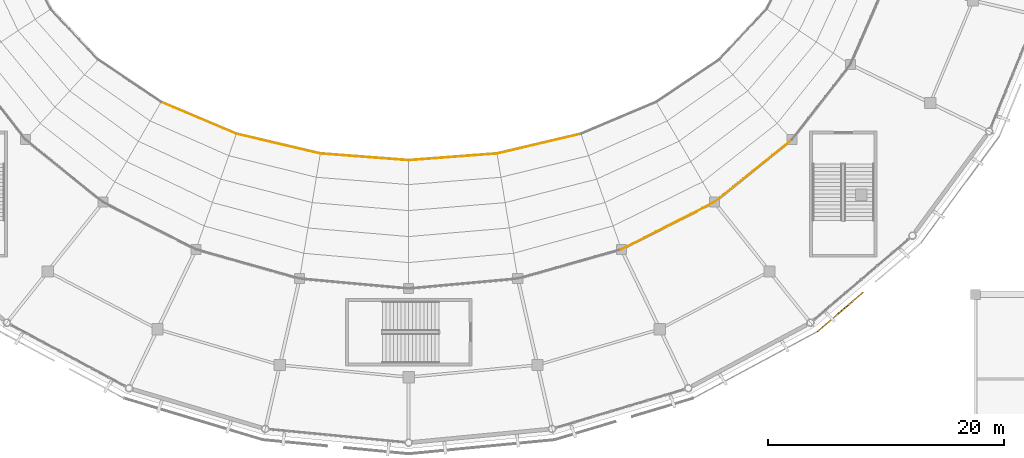
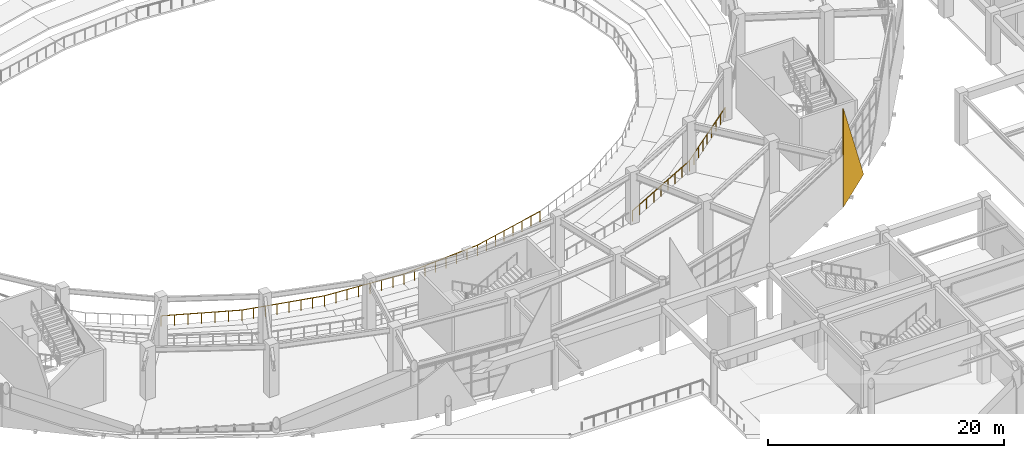
# One storey, part 99 of 120: 7 railings, 1 covering.
"""IFC4 building model written with IfcOpenShell, lengths in metres."""

from ifc_helpers import new_model, si_unit, direction, frame, origin, origin_2d, place, context, subcontext, project, spatial, polyline, circle, outline, extrude, material, layer, layer_set, type_object, element, save


model = new_model("IFC4")

# Units and contexts
model_context = context("Model", 3, precision=1e-05, world=origin(), true_north=direction((0.0, 1.0)))
body_context = subcontext(model_context, "Body", "Model", "MODEL_VIEW")
ifc_project = project(units=[si_unit("LENGTHUNIT", "METRE"), si_unit("AREAUNIT", "SQUARE_METRE"), si_unit("VOLUMEUNIT", "CUBIC_METRE"), si_unit("PLANEANGLEUNIT", "RADIAN"), si_unit("MASSUNIT", "GRAM", prefix="KILO")], contexts=[model_context])

# Site, building, storey
site_placement = place(None, origin())
site = spatial("IfcSite", under=ifc_project, at=site_placement, CompositionType="ELEMENT")
building_placement = place(site_placement, origin())
building = spatial("IfcBuilding", under=site, at=building_placement, Name="Cuetzalor Civic Arena", CompositionType="ELEMENT")
storey_placement = place(building_placement, frame((0.0, 0.0, 6.0)))
storey = spatial("IfcBuildingStorey", under=building, at=storey_placement, Name="L01", CompositionType="ELEMENT", Elevation=6.0)

# Railings
ifc_material_1 = material(Name="Reseda-green Steel S355 and laminated glass guard", Category="steel")
railing_type = type_object("IfcRailingType", Name="BowlSightlineGuard_1100", PredefinedType="BALUSTRADE", material=ifc_material_1)
railing_1_placement = place(storey_placement, frame((-20.98046875, -17.70849609375, -4.800048828125)))
element("IfcRailing", 1, at=railing_1_placement, inside=storey, type_object=railing_type, Name="Lower Bowl Front Sightline Guard S19", PredefinedType="BALUSTRADE", context=body_context, shape_type="SweptSolid", body=[
    extrude(circle(Radius=0.02392578125, at=origin_2d()), frame((0.0, 0.0, 1.076171875), z_axis=(0.921013938975, -0.389529619174, 0.0), x_axis=(0.389529619174, 0.921013938975, 0.0)), (0.0, 0.0, 1.0), 6.927490234375),
    extrude(circle(Radius=0.02099609375, at=origin_2d()), origin(), (0.0, 0.0, 1.0), 1.052001953125),
    extrude(circle(Radius=0.02099609375, at=origin_2d()), frame((1.0634765625, -0.44970703125, 0.0)), (0.0, 0.0, 1.0), 1.052001953125),
    extrude(circle(Radius=0.02099609375, at=origin_2d()), frame((2.126708984375, -0.8994140625, 0.0)), (0.0, 0.0, 1.0), 1.052001953125),
    extrude(circle(Radius=0.02099609375, at=origin_2d()), frame((3.190185546875, -1.34912109375, 0.0)), (0.0, 0.0, 1.0), 1.052001953125),
    extrude(circle(Radius=0.02099609375, at=origin_2d()), frame((4.253662109375, -1.799072265625, 0.0)), (0.0, 0.0, 1.0), 1.052001953125),
    extrude(circle(Radius=0.02099609375, at=origin_2d()), frame((5.31689453125, -2.248779296875, 0.0)), (0.0, 0.0, 1.0), 1.052001953125),
    extrude(circle(Radius=0.02099609375, at=origin_2d()), frame((6.38037109375, -2.698486328125, 0.0)), (0.0, 0.0, 1.0), 1.052001953125),
])
railing_2_placement = place(storey_placement, frame((-14.60009765625, -20.406982421875, -4.800048828125)))
element("IfcRailing", 2, at=railing_2_placement, inside=storey, type_object=railing_type, Name="Lower Bowl Front Sightline Guard S20", PredefinedType="BALUSTRADE", context=body_context, shape_type="SweptSolid", body=[
    extrude(circle(Radius=0.02392578125, at=origin_2d()), frame((0.0, 0.0, 1.076171875), z_axis=(0.9733693839, -0.229242322633, 0.0), x_axis=(0.229242322633, 0.9733693839, 0.0)), (0.0, 0.0, 1.0), 7.306884765625),
    extrude(circle(Radius=0.02099609375, at=origin_2d()), origin(), (0.0, 0.0, 1.0), 1.052001953125),
    extrude(circle(Radius=0.02099609375, at=origin_2d()), frame((1.01611328125, -0.2392578125, 0.0)), (0.0, 0.0, 1.0), 1.052001953125),
    extrude(circle(Radius=0.02099609375, at=origin_2d()), frame((2.031982421875, -0.478515625, 0.0)), (0.0, 0.0, 1.0), 1.052001953125),
    extrude(circle(Radius=0.02099609375, at=origin_2d()), frame((3.048095703125, -0.7177734375, 0.0)), (0.0, 0.0, 1.0), 1.052001953125),
    extrude(circle(Radius=0.02099609375, at=origin_2d()), frame((4.064208984375, -0.957275390625, 0.0)), (0.0, 0.0, 1.0), 1.052001953125),
    extrude(circle(Radius=0.02099609375, at=origin_2d()), frame((5.080322265625, -1.196533203125, 0.0)), (0.0, 0.0, 1.0), 1.052001953125),
    extrude(circle(Radius=0.02099609375, at=origin_2d()), frame((6.09619140625, -1.435791015625, 0.0)), (0.0, 0.0, 1.0), 1.052001953125),
    extrude(circle(Radius=0.02099609375, at=origin_2d()), frame((7.1123046875, -1.675048828125, 0.0)), (0.0, 0.0, 1.0), 1.052001953125),
])
railing_3_placement = place(storey_placement, frame((-7.48779296875, -22.08203125, -4.800048828125)))
element("IfcRailing", 3, at=railing_3_placement, inside=storey, type_object=railing_type, Name="Lower Bowl Front Sightline Guard S21", PredefinedType="BALUSTRADE", context=body_context, shape_type="SweptSolid", body=[
    extrude(circle(Radius=0.02392578125, at=origin_2d()), frame((0.0, 0.0, 1.076171875), z_axis=(0.99713652521, -0.075622417921, 0.0), x_axis=(0.075622417921, 0.99713652521, 0.0)), (0.0, 0.0, 1.0), 7.50927734375),
    extrude(circle(Radius=0.02099609375, at=origin_2d()), origin(), (0.0, 0.0, 1.0), 1.052001953125),
    extrude(circle(Radius=0.02099609375, at=origin_2d()), frame((1.069580078125, -0.0810546875, 0.0)), (0.0, 0.0, 1.0), 1.052001953125),
    extrude(circle(Radius=0.02099609375, at=origin_2d()), frame((2.139404296875, -0.162353515625, 0.0)), (0.0, 0.0, 1.0), 1.052001953125),
    extrude(circle(Radius=0.02099609375, at=origin_2d()), frame((3.208984375, -0.243408203125, 0.0)), (0.0, 0.0, 1.0), 1.052001953125),
    extrude(circle(Radius=0.02099609375, at=origin_2d()), frame((4.27880859375, -0.324462890625, 0.0)), (0.0, 0.0, 1.0), 1.052001953125),
    extrude(circle(Radius=0.02099609375, at=origin_2d()), frame((5.348388671875, -0.405517578125, 0.0)), (0.0, 0.0, 1.0), 1.052001953125),
    extrude(circle(Radius=0.02099609375, at=origin_2d()), frame((6.418212890625, -0.48681640625, 0.0)), (0.0, 0.0, 1.0), 1.052001953125),
    extrude(circle(Radius=0.02099609375, at=origin_2d()), frame((7.48779296875, -0.56787109375, 0.0)), (0.0, 0.0, 1.0), 1.052001953125),
])
railing_4_placement = place(storey_placement, frame((0.0, -22.64990234375, -4.800048828125)))
element("IfcRailing", 4, at=railing_4_placement, inside=storey, type_object=railing_type, Name="Lower Bowl Front Sightline Guard S22", PredefinedType="BALUSTRADE", context=body_context, shape_type="SweptSolid", body=[
    extrude(circle(Radius=0.02392578125, at=origin_2d()), frame((0.0, 0.0, 1.076171875), z_axis=(0.99713652521, 0.075622417921, 0.0), x_axis=(-0.075622417921, 0.99713652521, 0.0)), (0.0, 0.0, 1.0), 7.50927734375),
    extrude(circle(Radius=0.02099609375, at=origin_2d()), origin(), (0.0, 0.0, 1.0), 1.052001953125),
    extrude(circle(Radius=0.02099609375, at=origin_2d()), frame((1.069580078125, 0.0810546875, 0.0)), (0.0, 0.0, 1.0), 1.052001953125),
    extrude(circle(Radius=0.02099609375, at=origin_2d()), frame((2.139404296875, 0.162353515625, 0.0)), (0.0, 0.0, 1.0), 1.052001953125),
    extrude(circle(Radius=0.02099609375, at=origin_2d()), frame((3.208984375, 0.243408203125, 0.0)), (0.0, 0.0, 1.0), 1.052001953125),
    extrude(circle(Radius=0.02099609375, at=origin_2d()), frame((4.27880859375, 0.324462890625, 0.0)), (0.0, 0.0, 1.0), 1.052001953125),
    extrude(circle(Radius=0.02099609375, at=origin_2d()), frame((5.348388671875, 0.405517578125, 0.0)), (0.0, 0.0, 1.0), 1.052001953125),
    extrude(circle(Radius=0.02099609375, at=origin_2d()), frame((6.418212890625, 0.48681640625, 0.0)), (0.0, 0.0, 1.0), 1.052001953125),
    extrude(circle(Radius=0.02099609375, at=origin_2d()), frame((7.48779296875, 0.56787109375, 0.0)), (0.0, 0.0, 1.0), 1.052001953125),
])
railing_5_placement = place(storey_placement, frame((7.48779296875, -22.08203125, -4.800048828125)))
element("IfcRailing", 5, at=railing_5_placement, inside=storey, type_object=railing_type, Name="Lower Bowl Front Sightline Guard S23", PredefinedType="BALUSTRADE", context=body_context, shape_type="SweptSolid", body=[
    extrude(circle(Radius=0.02392578125, at=origin_2d()), frame((0.0, 0.0, 1.076171875), z_axis=(0.9733693839, 0.229242322633, 0.0), x_axis=(-0.229242322633, 0.9733693839, 0.0)), (0.0, 0.0, 1.0), 7.306884765625),
    extrude(circle(Radius=0.02099609375, at=origin_2d()), origin(), (0.0, 0.0, 1.0), 1.052001953125),
    extrude(circle(Radius=0.02099609375, at=origin_2d()), frame((1.01611328125, 0.2392578125, 0.0)), (0.0, 0.0, 1.0), 1.052001953125),
    extrude(circle(Radius=0.02099609375, at=origin_2d()), frame((2.031982421875, 0.478515625, 0.0)), (0.0, 0.0, 1.0), 1.052001953125),
    extrude(circle(Radius=0.02099609375, at=origin_2d()), frame((3.048095703125, 0.7177734375, 0.0)), (0.0, 0.0, 1.0), 1.052001953125),
    extrude(circle(Radius=0.02099609375, at=origin_2d()), frame((4.064208984375, 0.957275390625, 0.0)), (0.0, 0.0, 1.0), 1.052001953125),
    extrude(circle(Radius=0.02099609375, at=origin_2d()), frame((5.080322265625, 1.196533203125, 0.0)), (0.0, 0.0, 1.0), 1.052001953125),
    extrude(circle(Radius=0.02099609375, at=origin_2d()), frame((6.09619140625, 1.435791015625, 0.0)), (0.0, 0.0, 1.0), 1.052001953125),
    extrude(circle(Radius=0.02099609375, at=origin_2d()), frame((7.1123046875, 1.675048828125, 0.0)), (0.0, 0.0, 1.0), 1.052001953125),
])
railing_6_placement = place(storey_placement, frame((18.006103515625, -30.1826171875, 0.0)))
element("IfcRailing", 6, at=railing_6_placement, inside=storey, type_object=railing_type, Name="Lower Bowl Concourse Rim Balustrade S24", PredefinedType="BALUSTRADE", context=body_context, shape_type="SweptSolid", body=[
    extrude(circle(Radius=0.02392578125, at=origin_2d()), frame((0.0, 0.0, 1.076171875), z_axis=(0.891833390372, 0.452364016935, 0.0), x_axis=(-0.452364016935, 0.891833390372, 0.0)), (0.0, 0.0, 1.0), 8.822998046875),
    extrude(circle(Radius=0.02099609375, at=origin_2d()), origin(), (0.0, 0.0, 1.0), 1.052001953125),
    extrude(circle(Radius=0.02099609375, at=origin_2d()), frame((0.983642578125, 0.4990234375, 0.0)), (0.0, 0.0, 1.0), 1.052001953125),
    extrude(circle(Radius=0.02099609375, at=origin_2d()), frame((1.96728515625, 0.997802734375, 0.0)), (0.0, 0.0, 1.0), 1.052001953125),
    extrude(circle(Radius=0.02099609375, at=origin_2d()), frame((2.95068359375, 1.49658203125, 0.0)), (0.0, 0.0, 1.0), 1.052001953125),
    extrude(circle(Radius=0.02099609375, at=origin_2d()), frame((3.934326171875, 1.99560546875, 0.0)), (0.0, 0.0, 1.0), 1.052001953125),
    extrude(circle(Radius=0.02099609375, at=origin_2d()), frame((4.91796875, 2.49462890625, 0.0)), (0.0, 0.0, 1.0), 1.052001953125),
    extrude(circle(Radius=0.02099609375, at=origin_2d()), frame((5.9013671875, 2.993408203125, 0.0)), (0.0, 0.0, 1.0), 1.052001953125),
    extrude(circle(Radius=0.02099609375, at=origin_2d()), frame((6.885009765625, 3.4921875, 0.0)), (0.0, 0.0, 1.0), 1.052001953125),
    extrude(circle(Radius=0.02099609375, at=origin_2d()), frame((7.86865234375, 3.9912109375, 0.0)), (0.0, 0.0, 1.0), 1.052001953125),
])
railing_7_placement = place(storey_placement, frame((25.874755859375, -26.19140625, 0.0)))
element("IfcRailing", 7, at=railing_7_placement, inside=storey, type_object=railing_type, Name="Lower Bowl Concourse Rim Balustrade S25", PredefinedType="BALUSTRADE", context=body_context, shape_type="SweptSolid", body=[
    extrude(circle(Radius=0.02392578125, at=origin_2d()), frame((0.0, 0.0, 1.076171875), z_axis=(0.778122678462, 0.628112328539, 0.0), x_axis=(-0.628112328539, 0.778122678462, 0.0)), (0.0, 0.0, 1.0), 8.445068359375),
    extrude(circle(Radius=0.02099609375, at=origin_2d()), origin(), (0.0, 0.0, 1.0), 1.052001953125),
    extrude(circle(Radius=0.02099609375, at=origin_2d()), frame((0.8212890625, 0.6630859375, 0.0)), (0.0, 0.0, 1.0), 1.052001953125),
    extrude(circle(Radius=0.02099609375, at=origin_2d()), frame((1.642822265625, 1.326171875, 0.0)), (0.0, 0.0, 1.0), 1.052001953125),
    extrude(circle(Radius=0.02099609375, at=origin_2d()), frame((2.46435546875, 1.9892578125, 0.0)), (0.0, 0.0, 1.0), 1.052001953125),
    extrude(circle(Radius=0.02099609375, at=origin_2d()), frame((3.28564453125, 2.65234375, 0.0)), (0.0, 0.0, 1.0), 1.052001953125),
    extrude(circle(Radius=0.02099609375, at=origin_2d()), frame((4.10693359375, 3.315185546875, 0.0)), (0.0, 0.0, 1.0), 1.052001953125),
    extrude(circle(Radius=0.02099609375, at=origin_2d()), frame((4.928466796875, 3.978271484375, 0.0)), (0.0, 0.0, 1.0), 1.052001953125),
    extrude(circle(Radius=0.02099609375, at=origin_2d()), frame((5.75, 4.641357421875, 0.0)), (0.0, 0.0, 1.0), 1.052001953125),
    extrude(circle(Radius=0.02099609375, at=origin_2d()), frame((6.5712890625, 5.304443359375, 0.0)), (0.0, 0.0, 1.0), 1.052001953125),
])

# Covering
ifc_material_2 = material(Name="Terracotta-red perforated anodised aluminium panel", Category="masonry")
ifc_layer = layer(ifc_material_2, 0.080078125)
ifc_layer_set = layer_set([ifc_layer], Name="Terracotta-red perforated anodised aluminium panel")
covering_type = type_object("IfcCoveringType", Name="TerracottaPerforatedScreenPanel", PredefinedType="CLADDING", material=ifc_layer_set)
covering_placement = place(storey_placement, frame((38.470458984375, -33.82763671875, -0.14990234375), z_axis=(0.0, 0.0, 1.0), x_axis=(-0.75974060177, -0.650226282169, 0.0)))
element("IfcCovering", 8, at=covering_placement, inside=storey, type_object=covering_type, Name="Terracotta Perforated Triangle Cheek Right S25", PredefinedType="CLADDING", context=body_context, shape_type="SweptSolid", body=[
    extrude(outline(polyline([(0.0, 0.0), (5.089599609375, 0.0), (5.089599609375, 10.22998046875), (0.0, 0.139892578125), (0.0, 0.0)])), frame((0.0, 0.0400390625, 0.0), z_axis=(0.0, -1.0, 0.0), x_axis=(1.0, 0.0, 0.0)), (0.0, 0.0, 1.0), 0.080078125),
])

save(model, "model.ifc")
